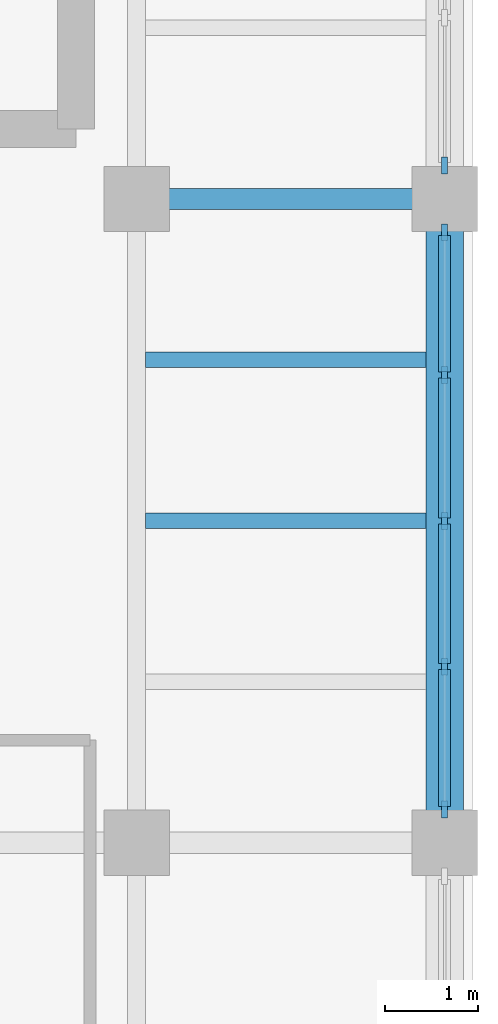
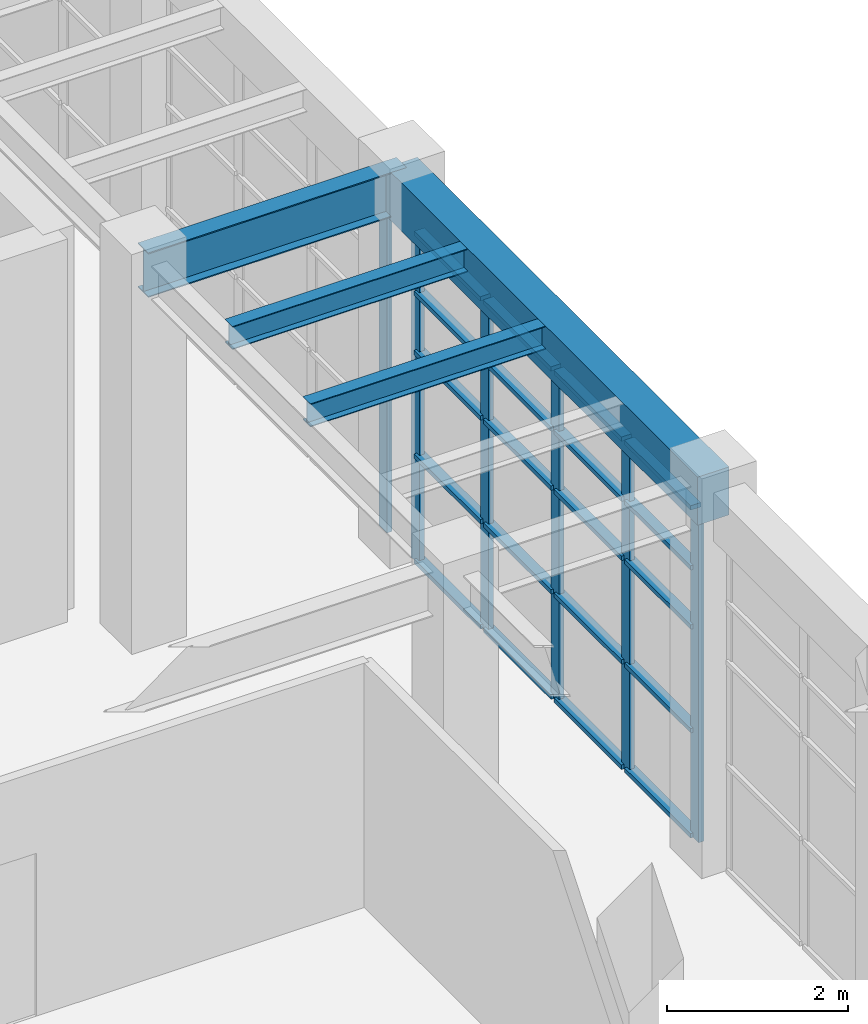
# One storey, part 42 of 103: 26 members, 4 beams, 2 elements without a shape of their own.
"""IFC4 building model written with IfcOpenShell, lengths in metres."""

from ifc_helpers import new_model, si_unit, direction, frame, origin, origin_2d, place, context, subcontext, project, spatial, rectangle, i_section, extrude, material, layer, layer_set, material_profile, profile_set, type_object, element, aggregate, save


model = new_model("IFC4")

# Units and contexts
model_context = context("Model", 3, precision=1e-05, world=origin(), true_north=direction((0.0, 1.0)))
body_context = subcontext(model_context, "Body", "Model", "MODEL_VIEW")
ifc_project = project(units=[si_unit("LENGTHUNIT", "METRE"), si_unit("AREAUNIT", "SQUARE_METRE"), si_unit("VOLUMEUNIT", "CUBIC_METRE"), si_unit("PLANEANGLEUNIT", "RADIAN"), si_unit("MASSUNIT", "GRAM", prefix="KILO")], contexts=[model_context])

# Site, building, storey
site_placement = place(None, origin())
site = spatial("IfcSite", under=ifc_project, at=site_placement, CompositionType="ELEMENT")
building_placement = place(site_placement, origin())
building = spatial("IfcBuilding", under=site, at=building_placement, Name="Candilejo Ridge Gondola Terminal", CompositionType="ELEMENT")
storey_placement = place(building_placement, frame((0.0, 0.0, 9.0)))
storey = spatial("IfcBuildingStorey", under=building, at=storey_placement, Name="L02", CompositionType="ELEMENT", Elevation=9.0)

# Curtain wall, members
ifc_material_1 = material(Name="Anodised aluminium AA 6063-T6", Category="aluminium")
ifc_layer_1 = layer(ifc_material_1, 0.169921875)
ifc_layer_set_1 = layer_set([ifc_layer_1], Name="ARC-CW-HALL-3800-625X449")
curtain_wall_type_1 = type_object("IfcCurtainWallType", Name="ARC-CW-HALL-3800-625X449", PredefinedType="NOTDEFINED", material=ifc_layer_set_1)
curtain_wall_1_placement = place(storey_placement, origin())
curtain_wall_1 = element("IfcCurtainWall", 1, at=curtain_wall_1_placement, inside=storey, type_object=curtain_wall_type_1, Name="Curtain wall V4 L02-140", PredefinedType="NOTDEFINED")
ifc_material_2 = material(Name="Anodised aluminium AA 6063-T6", Category="aluminium")
ifc_material_profile_1 = material_profile(ifc_material_2, rectangle(XDim=0.06494140625, YDim=0.179931640625, at=origin_2d()))
ifc_profile_set_1 = profile_set([ifc_material_profile_1], Name="Anodised aluminium AA 6063-T6")
member_type_1 = type_object("IfcMemberType", Name="ARC-CW-MULLION-180", PredefinedType="MULLION", material=ifc_profile_set_1)
member_1_placement = place(storey_placement, frame((175.300048828125, 30.157470703125, 0.0), z_axis=(0.0, 0.0, 1.0), x_axis=(-1.0, 0.0, 0.0)))
member_1 = element("IfcMember", 2, at=member_1_placement, type_object=member_type_1, Name="CW-62X44 mullion 1", PredefinedType="MULLION", context=body_context, shape_type="SweptSolid", body=[
    extrude(rectangle(XDim=0.06494140625, YDim=0.179931640625, at=origin_2d()), origin(), (0.0, 0.0, 1.0), 4.489990234375),
])
member_2_placement = place(storey_placement, frame((175.300048828125, 31.6875, 0.0), z_axis=(0.0, 0.0, 1.0), x_axis=(-1.0, 0.0, 0.0)))
member_2 = element("IfcMember", 3, at=member_2_placement, type_object=member_type_1, Name="CW-62X44 mullion 2", PredefinedType="MULLION", context=body_context, shape_type="SweptSolid", body=[
    extrude(rectangle(XDim=0.06494140625, YDim=0.179931640625, at=origin_2d()), origin(), (0.0, 0.0, 1.0), 4.489990234375),
])
member_3_placement = place(storey_placement, frame((175.300048828125, 33.25, 0.0), z_axis=(0.0, 0.0, 1.0), x_axis=(-1.0, 0.0, 0.0)))
member_3 = element("IfcMember", 4, at=member_3_placement, type_object=member_type_1, Name="CW-62X44 mullion 3", PredefinedType="MULLION", context=body_context, shape_type="SweptSolid", body=[
    extrude(rectangle(XDim=0.06494140625, YDim=0.179931640625, at=origin_2d()), origin(), (0.0, 0.0, 1.0), 4.489990234375),
])
member_4_placement = place(storey_placement, frame((175.300048828125, 34.8125, 0.0), z_axis=(0.0, 0.0, 1.0), x_axis=(-1.0, 0.0, 0.0)))
member_4 = element("IfcMember", 5, at=member_4_placement, type_object=member_type_1, Name="CW-62X44 mullion 4", PredefinedType="MULLION", context=body_context, shape_type="SweptSolid", body=[
    extrude(rectangle(XDim=0.06494140625, YDim=0.179931640625, at=origin_2d()), origin(), (0.0, 0.0, 1.0), 4.489990234375),
])
member_5_placement = place(storey_placement, frame((175.300048828125, 36.342529296875, 0.0), z_axis=(0.0, 0.0, 1.0), x_axis=(-1.0, 0.0, 0.0)))
member_5 = element("IfcMember", 6, at=member_5_placement, type_object=member_type_1, Name="CW-62X44 mullion 5", PredefinedType="MULLION", context=body_context, shape_type="SweptSolid", body=[
    extrude(rectangle(XDim=0.06494140625, YDim=0.179931640625, at=origin_2d()), origin(), (0.0, 0.0, 1.0), 4.489990234375),
])

# Curtain wall, member
ifc_material_3 = material(Name="Anodised aluminium AA 6063-T6", Category="aluminium")
ifc_layer_2 = layer(ifc_material_3, 0.169921875)
ifc_layer_set_2 = layer_set([ifc_layer_2], Name="ARC-CW-HALL-3800-485X449")
curtain_wall_type_2 = type_object("IfcCurtainWallType", Name="ARC-CW-HALL-3800-485X449", PredefinedType="NOTDEFINED", material=ifc_layer_set_2)
curtain_wall_2_placement = place(storey_placement, origin())
curtain_wall_2 = element("IfcCurtainWall", 7, at=curtain_wall_2_placement, inside=storey, type_object=curtain_wall_type_2, Name="Curtain wall V4 L02-141", PredefinedType="NOTDEFINED")
member_6_placement = place(storey_placement, frame((175.300048828125, 37.0576171875, 0.0), z_axis=(0.0, 0.0, 1.0), x_axis=(-1.0, 0.0, 0.0)))
member_6 = element("IfcMember", 8, at=member_6_placement, type_object=member_type_1, Name="CW-48X44 mullion 1", PredefinedType="MULLION", context=body_context, shape_type="SweptSolid", body=[
    extrude(rectangle(XDim=0.06494140625, YDim=0.179931640625, at=origin_2d()), origin(), (0.0, 0.0, 1.0), 4.489990234375),
])
aggregate(curtain_wall_2, [member_6])

# Member
ifc_material_4 = material(Name="Anodised aluminium AA 6063-T6", Category="aluminium")
ifc_material_profile_2 = material_profile(ifc_material_4, rectangle(XDim=0.1298828125, YDim=0.06005859375, at=origin_2d()))
ifc_profile_set_2 = profile_set([ifc_material_profile_2], Name="Anodised aluminium AA 6063-T6")
member_type_2 = type_object("IfcMemberType", Name="ARC-CW-TRANSOM-130", PredefinedType="USERDEFINED", material=ifc_profile_set_2)
member_7_placement = place(storey_placement, frame((175.300048828125, 30.18994140625, 0.030029296875), z_axis=(0.0, 1.0, 0.0), x_axis=(-1.0, 0.0, 0.0)))
member_7 = element("IfcMember", 9, at=member_7_placement, type_object=member_type_2, Name="CW-62X44 transom 1.1", ObjectType="TRANSOM", PredefinedType="USERDEFINED", context=body_context, shape_type="SweptSolid", body=[
    extrude(rectangle(XDim=0.1298828125, YDim=0.06005859375, at=origin_2d()), origin(), (0.0, 0.0, 1.0), 1.465087890625),
])

member_8_placement = place(storey_placement, frame((175.300048828125, 30.18994140625, 1.449951171875), z_axis=(0.0, 1.0, 0.0), x_axis=(-1.0, 0.0, 0.0)))
member_8 = element("IfcMember", 10, at=member_8_placement, type_object=member_type_2, Name="CW-62X44 transom 1.2", ObjectType="TRANSOM", PredefinedType="USERDEFINED", context=body_context, shape_type="SweptSolid", body=[
    extrude(rectangle(XDim=0.1298828125, YDim=0.06005859375, at=origin_2d()), origin(), (0.0, 0.0, 1.0), 1.465087890625),
])

member_9_placement = place(storey_placement, frame((175.300048828125, 30.18994140625, 2.85009765625), z_axis=(0.0, 1.0, 0.0), x_axis=(-1.0, 0.0, 0.0)))
member_9 = element("IfcMember", 11, at=member_9_placement, type_object=member_type_2, Name="CW-62X44 transom 1.3", ObjectType="TRANSOM", PredefinedType="USERDEFINED", context=body_context, shape_type="SweptSolid", body=[
    extrude(rectangle(XDim=0.1298828125, YDim=0.06005859375, at=origin_2d()), origin(), (0.0, 0.0, 1.0), 1.465087890625),
])

member_10_placement = place(storey_placement, frame((175.300048828125, 30.18994140625, 3.64990234375), z_axis=(0.0, 1.0, 0.0), x_axis=(-1.0, 0.0, 0.0)))
member_10 = element("IfcMember", 12, at=member_10_placement, type_object=member_type_2, Name="CW-62X44 transom 1.4", ObjectType="TRANSOM", PredefinedType="USERDEFINED", context=body_context, shape_type="SweptSolid", body=[
    extrude(rectangle(XDim=0.1298828125, YDim=0.06005859375, at=origin_2d()), origin(), (0.0, 0.0, 1.0), 1.465087890625),
])

member_11_placement = place(storey_placement, frame((175.300048828125, 30.18994140625, 4.4599609375), z_axis=(0.0, 1.0, 0.0), x_axis=(-1.0, 0.0, 0.0)))
member_11 = element("IfcMember", 13, at=member_11_placement, type_object=member_type_2, Name="CW-62X44 transom 1.5", ObjectType="TRANSOM", PredefinedType="USERDEFINED", context=body_context, shape_type="SweptSolid", body=[
    extrude(rectangle(XDim=0.1298828125, YDim=0.06005859375, at=origin_2d()), origin(), (0.0, 0.0, 1.0), 1.465087890625),
])

member_12_placement = place(storey_placement, frame((175.300048828125, 31.719970703125, 0.030029296875), z_axis=(0.0, 1.0, 0.0), x_axis=(-1.0, 0.0, 0.0)))
member_12 = element("IfcMember", 14, at=member_12_placement, type_object=member_type_2, Name="CW-62X44 transom 2.1", ObjectType="TRANSOM", PredefinedType="USERDEFINED", context=body_context, shape_type="SweptSolid", body=[
    extrude(rectangle(XDim=0.1298828125, YDim=0.06005859375, at=origin_2d()), origin(), (0.0, 0.0, 1.0), 1.49755859375),
])

member_13_placement = place(storey_placement, frame((175.300048828125, 31.719970703125, 1.449951171875), z_axis=(0.0, 1.0, 0.0), x_axis=(-1.0, 0.0, 0.0)))
member_13 = element("IfcMember", 15, at=member_13_placement, type_object=member_type_2, Name="CW-62X44 transom 2.2", ObjectType="TRANSOM", PredefinedType="USERDEFINED", context=body_context, shape_type="SweptSolid", body=[
    extrude(rectangle(XDim=0.1298828125, YDim=0.06005859375, at=origin_2d()), origin(), (0.0, 0.0, 1.0), 1.49755859375),
])

member_14_placement = place(storey_placement, frame((175.300048828125, 31.719970703125, 2.85009765625), z_axis=(0.0, 1.0, 0.0), x_axis=(-1.0, 0.0, 0.0)))
member_14 = element("IfcMember", 16, at=member_14_placement, type_object=member_type_2, Name="CW-62X44 transom 2.3", ObjectType="TRANSOM", PredefinedType="USERDEFINED", context=body_context, shape_type="SweptSolid", body=[
    extrude(rectangle(XDim=0.1298828125, YDim=0.06005859375, at=origin_2d()), origin(), (0.0, 0.0, 1.0), 1.49755859375),
])

member_15_placement = place(storey_placement, frame((175.300048828125, 31.719970703125, 3.64990234375), z_axis=(0.0, 1.0, 0.0), x_axis=(-1.0, 0.0, 0.0)))
member_15 = element("IfcMember", 17, at=member_15_placement, type_object=member_type_2, Name="CW-62X44 transom 2.4", ObjectType="TRANSOM", PredefinedType="USERDEFINED", context=body_context, shape_type="SweptSolid", body=[
    extrude(rectangle(XDim=0.1298828125, YDim=0.06005859375, at=origin_2d()), origin(), (0.0, 0.0, 1.0), 1.49755859375),
])

member_16_placement = place(storey_placement, frame((175.300048828125, 31.719970703125, 4.4599609375), z_axis=(0.0, 1.0, 0.0), x_axis=(-1.0, 0.0, 0.0)))
member_16 = element("IfcMember", 18, at=member_16_placement, type_object=member_type_2, Name="CW-62X44 transom 2.5", ObjectType="TRANSOM", PredefinedType="USERDEFINED", context=body_context, shape_type="SweptSolid", body=[
    extrude(rectangle(XDim=0.1298828125, YDim=0.06005859375, at=origin_2d()), origin(), (0.0, 0.0, 1.0), 1.49755859375),
])

member_17_placement = place(storey_placement, frame((175.300048828125, 33.282470703125, 0.030029296875), z_axis=(0.0, 1.0, 0.0), x_axis=(-1.0, 0.0, 0.0)))
member_17 = element("IfcMember", 19, at=member_17_placement, type_object=member_type_2, Name="CW-62X44 transom 3.1", ObjectType="TRANSOM", PredefinedType="USERDEFINED", context=body_context, shape_type="SweptSolid", body=[
    extrude(rectangle(XDim=0.1298828125, YDim=0.06005859375, at=origin_2d()), origin(), (0.0, 0.0, 1.0), 1.49755859375),
])

member_18_placement = place(storey_placement, frame((175.300048828125, 33.282470703125, 1.449951171875), z_axis=(0.0, 1.0, 0.0), x_axis=(-1.0, 0.0, 0.0)))
member_18 = element("IfcMember", 20, at=member_18_placement, type_object=member_type_2, Name="CW-62X44 transom 3.2", ObjectType="TRANSOM", PredefinedType="USERDEFINED", context=body_context, shape_type="SweptSolid", body=[
    extrude(rectangle(XDim=0.1298828125, YDim=0.06005859375, at=origin_2d()), origin(), (0.0, 0.0, 1.0), 1.49755859375),
])

member_19_placement = place(storey_placement, frame((175.300048828125, 33.282470703125, 2.85009765625), z_axis=(0.0, 1.0, 0.0), x_axis=(-1.0, 0.0, 0.0)))
member_19 = element("IfcMember", 21, at=member_19_placement, type_object=member_type_2, Name="CW-62X44 transom 3.3", ObjectType="TRANSOM", PredefinedType="USERDEFINED", context=body_context, shape_type="SweptSolid", body=[
    extrude(rectangle(XDim=0.1298828125, YDim=0.06005859375, at=origin_2d()), origin(), (0.0, 0.0, 1.0), 1.49755859375),
])

member_20_placement = place(storey_placement, frame((175.300048828125, 33.282470703125, 3.64990234375), z_axis=(0.0, 1.0, 0.0), x_axis=(-1.0, 0.0, 0.0)))
member_20 = element("IfcMember", 22, at=member_20_placement, type_object=member_type_2, Name="CW-62X44 transom 3.4", ObjectType="TRANSOM", PredefinedType="USERDEFINED", context=body_context, shape_type="SweptSolid", body=[
    extrude(rectangle(XDim=0.1298828125, YDim=0.06005859375, at=origin_2d()), origin(), (0.0, 0.0, 1.0), 1.49755859375),
])

member_21_placement = place(storey_placement, frame((175.300048828125, 33.282470703125, 4.4599609375), z_axis=(0.0, 1.0, 0.0), x_axis=(-1.0, 0.0, 0.0)))
member_21 = element("IfcMember", 23, at=member_21_placement, type_object=member_type_2, Name="CW-62X44 transom 3.5", ObjectType="TRANSOM", PredefinedType="USERDEFINED", context=body_context, shape_type="SweptSolid", body=[
    extrude(rectangle(XDim=0.1298828125, YDim=0.06005859375, at=origin_2d()), origin(), (0.0, 0.0, 1.0), 1.49755859375),
])

member_22_placement = place(storey_placement, frame((175.300048828125, 34.844970703125, 0.030029296875), z_axis=(0.0, 1.0, 0.0), x_axis=(-1.0, 0.0, 0.0)))
member_22 = element("IfcMember", 24, at=member_22_placement, type_object=member_type_2, Name="CW-62X44 transom 4.1", ObjectType="TRANSOM", PredefinedType="USERDEFINED", context=body_context, shape_type="SweptSolid", body=[
    extrude(rectangle(XDim=0.1298828125, YDim=0.06005859375, at=origin_2d()), origin(), (0.0, 0.0, 1.0), 1.465087890625),
])

member_23_placement = place(storey_placement, frame((175.300048828125, 34.844970703125, 1.449951171875), z_axis=(0.0, 1.0, 0.0), x_axis=(-1.0, 0.0, 0.0)))
member_23 = element("IfcMember", 25, at=member_23_placement, type_object=member_type_2, Name="CW-62X44 transom 4.2", ObjectType="TRANSOM", PredefinedType="USERDEFINED", context=body_context, shape_type="SweptSolid", body=[
    extrude(rectangle(XDim=0.1298828125, YDim=0.06005859375, at=origin_2d()), origin(), (0.0, 0.0, 1.0), 1.465087890625),
])

member_24_placement = place(storey_placement, frame((175.300048828125, 34.844970703125, 2.85009765625), z_axis=(0.0, 1.0, 0.0), x_axis=(-1.0, 0.0, 0.0)))
member_24 = element("IfcMember", 26, at=member_24_placement, type_object=member_type_2, Name="CW-62X44 transom 4.3", ObjectType="TRANSOM", PredefinedType="USERDEFINED", context=body_context, shape_type="SweptSolid", body=[
    extrude(rectangle(XDim=0.1298828125, YDim=0.06005859375, at=origin_2d()), origin(), (0.0, 0.0, 1.0), 1.465087890625),
])

member_25_placement = place(storey_placement, frame((175.300048828125, 34.844970703125, 3.64990234375), z_axis=(0.0, 1.0, 0.0), x_axis=(-1.0, 0.0, 0.0)))
member_25 = element("IfcMember", 27, at=member_25_placement, type_object=member_type_2, Name="CW-62X44 transom 4.4", ObjectType="TRANSOM", PredefinedType="USERDEFINED", context=body_context, shape_type="SweptSolid", body=[
    extrude(rectangle(XDim=0.1298828125, YDim=0.06005859375, at=origin_2d()), origin(), (0.0, 0.0, 1.0), 1.465087890625),
])

member_26_placement = place(storey_placement, frame((175.300048828125, 34.844970703125, 4.4599609375), z_axis=(0.0, 1.0, 0.0), x_axis=(-1.0, 0.0, 0.0)))
member_26 = element("IfcMember", 28, at=member_26_placement, type_object=member_type_2, Name="CW-62X44 transom 4.5", ObjectType="TRANSOM", PredefinedType="USERDEFINED", context=body_context, shape_type="SweptSolid", body=[
    extrude(rectangle(XDim=0.1298828125, YDim=0.06005859375, at=origin_2d()), origin(), (0.0, 0.0, 1.0), 1.465087890625),
])

aggregate(curtain_wall_1, [member_1, member_2, member_3, member_4, member_5, member_7, member_8, member_9, member_10, member_11, member_12, member_13, member_14, member_15, member_16, member_17, member_18, member_19, member_20, member_21, member_22, member_23, member_24, member_25, member_26])

# Beams
ifc_material_5 = material(Name="Steel ASTM A992 Grade 50", Category="steel")
ifc_material_profile_3 = material_profile(ifc_material_5, i_section(OverallWidth=0.22802734375, OverallDepth=0.60302734375, WebThickness=0.010498046875, FlangeThickness=0.014892578125, at=origin_2d()))
ifc_profile_set_3 = profile_set([ifc_material_profile_3], Name="Steel ASTM A992 Grade 50")
beam_type_1 = type_object("IfcBeamType", Name="STR-BM-W610X101", PredefinedType="BEAM", material=ifc_profile_set_3)
beam_1_placement = place(storey_placement, frame((172.0, 36.699951171875, 4.8583984375), z_axis=(1.0, 0.0, 0.0), x_axis=(0.0, 1.0, 0.0)))
element("IfcBeam", 29, at=beam_1_placement, inside=storey, type_object=beam_type_1, Name="Beam X V4 L02 X26-X27@Y07", PredefinedType="BEAM", context=body_context, shape_type="SweptSolid", body=[
    extrude(i_section(OverallWidth=0.22802734375, OverallDepth=0.60302734375, WebThickness=0.010498046875, FlangeThickness=0.014892578125, at=origin_2d()), origin(), (0.0, 0.0, 1.0), 3.300048828125),
])
ifc_material_6 = material(Name="Steel ASTM A992 Grade 50", Category="steel")
ifc_material_profile_4 = material_profile(ifc_material_6, i_section(OverallWidth=0.166015625, OverallDepth=0.31298828125, WebThickness=0.006591796875, FlangeThickness=0.01123046875, at=origin_2d()))
ifc_profile_set_4 = profile_set([ifc_material_profile_4], Name="Steel ASTM A992 Grade 50")
beam_type_2 = type_object("IfcBeamType", Name="STR-JST-W310X44", PredefinedType="JOIST", material=ifc_profile_set_4)
for number, where, z_axis, x_axis, name in (
    (30, (172.095947265625, 33.25, 5.00341796875), (1.0, 0.0, 0.0), (0.0, 1.0, 0.0), "Composite joist V4 L02-0985"),
    (31, (172.095947265625, 34.97509765625, 5.00341796875), (1.0, 0.0, 0.0), (0.0, 1.0, 0.0), "Composite joist V4 L02-0986"),
):
    element("IfcBeam", number, at=place(storey_placement, frame(where, z_axis=z_axis, x_axis=x_axis)), inside=storey, type_object=beam_type_2, Name=name, PredefinedType="JOIST", context=body_context, shape_type="SweptSolid", body=[
        extrude(i_section(OverallWidth=0.166015625, OverallDepth=0.31298828125, WebThickness=0.006591796875, FlangeThickness=0.01123046875, at=origin_2d()), origin(), (0.0, 0.0, 1.0), 3.004150390625),
    ])
ifc_material_7 = material(Name="Concrete f'c 35 MPa (C35/45)", Category="concrete")
ifc_material_profile_5 = material_profile(ifc_material_7, rectangle(XDim=0.39990234375, YDim=0.64990234375, at=origin_2d()))
ifc_profile_set_5 = profile_set([ifc_material_profile_5], Name="Concrete f'c 35 MPa (C35/45)")
beam_type_3 = type_object("IfcBeamType", Name="STR-SPN-RC400X650", PredefinedType="SPANDREL", material=ifc_profile_set_5)
beam_2_placement = place(storey_placement, frame((175.300048828125, 29.800048828125, 4.8349609375), z_axis=(0.0, 1.0, 0.0), x_axis=(-1.0, 0.0, 0.0)))
element("IfcBeam", 32, at=beam_2_placement, inside=storey, type_object=beam_type_3, Name="Beam Y V4 L02 Y06-Y07@X27", PredefinedType="SPANDREL", context=body_context, shape_type="SweptSolid", body=[
    extrude(rectangle(XDim=0.39990234375, YDim=0.64990234375, at=origin_2d()), origin(), (0.0, 0.0, 1.0), 6.89990234375),
])

save(model, "model.ifc")
